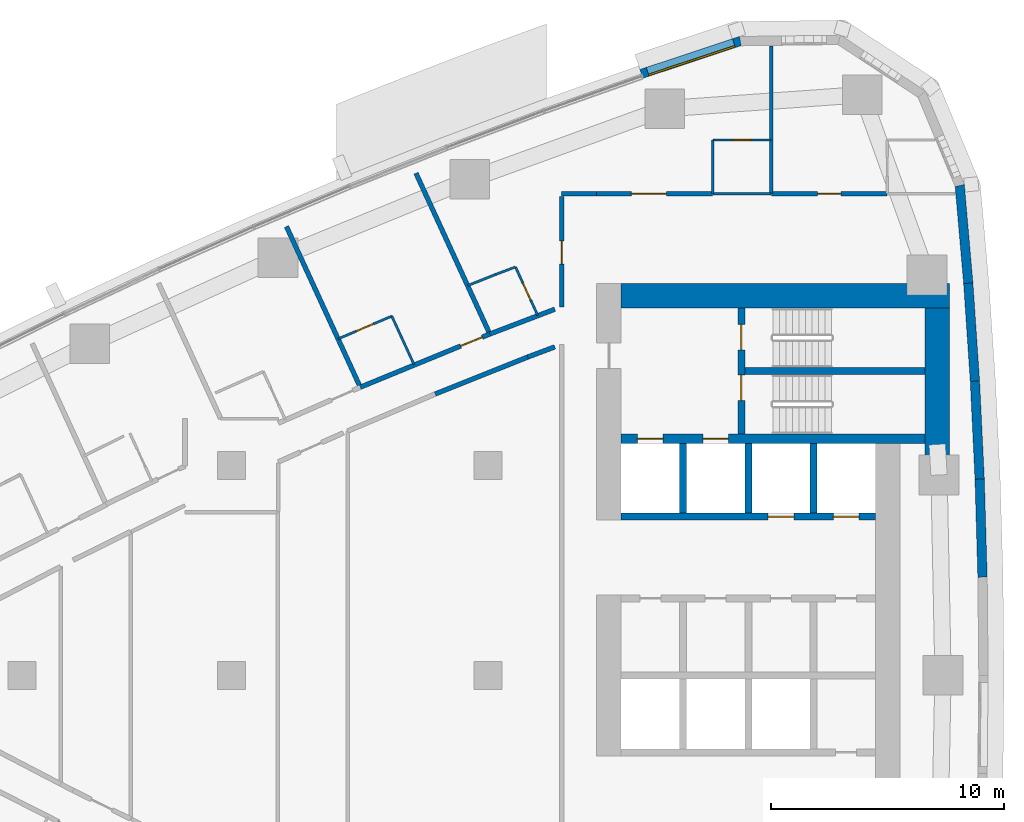
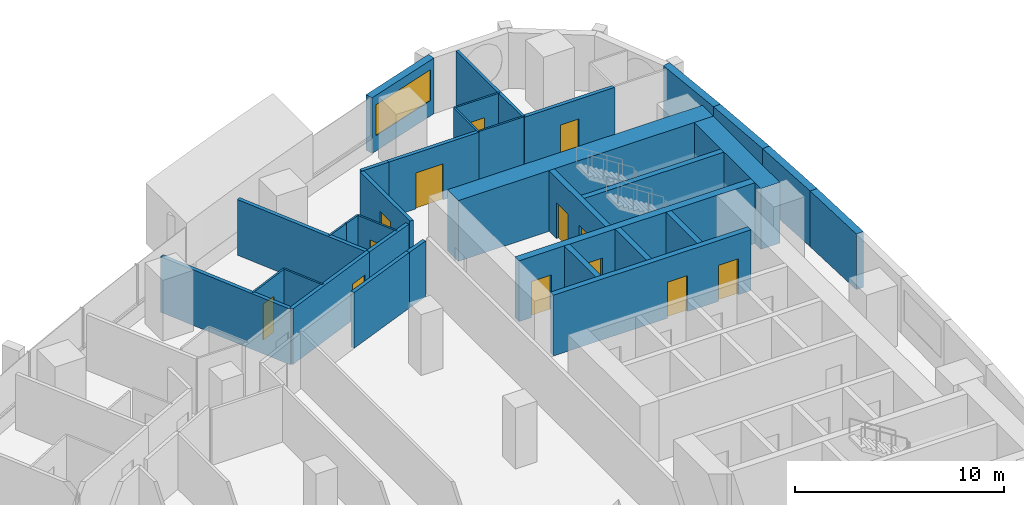
# One storey, part 12 of 17: 33 walls, 13 doors, 1 window, 14 openings.
"""IFC4 building model written with IfcOpenShell, lengths in metres."""

from ifc_helpers import new_model, si_unit, direction, frame, frame_2d, origin, place, context, subcontext, project, spatial, polyline, rectangle, outline, extrude, material, layer, layer_set, type_object, element, fill, save


model = new_model("IFC4")

# Units and contexts
model_context = context("Model", 3, precision=1e-05, world=origin(), true_north=direction((0.0, 1.0)))
body_context = subcontext(model_context, "Body", "Model", "MODEL_VIEW")
ifc_project = project(units=[si_unit("LENGTHUNIT", "METRE"), si_unit("AREAUNIT", "SQUARE_METRE"), si_unit("VOLUMEUNIT", "CUBIC_METRE"), si_unit("PLANEANGLEUNIT", "RADIAN"), si_unit("MASSUNIT", "GRAM", prefix="KILO")], contexts=[model_context])

# Site, building, storey
site_placement = place(None, origin())
site = spatial("IfcSite", under=ifc_project, at=site_placement, CompositionType="ELEMENT")
building_placement = place(site_placement, origin())
building = spatial("IfcBuilding", under=site, at=building_placement, Name="Ostrand Prow Hotel Tower", CompositionType="ELEMENT")
storey_placement = place(building_placement, frame((0.0, 0.0, 109.75)))
storey = spatial("IfcBuildingStorey", under=building, at=storey_placement, Name="L26", CompositionType="ELEMENT", Elevation=109.75)

# Walls
ifc_material_1 = material(Name="Concrete C80/95", Category="concrete")
ifc_layer_1 = layer(ifc_material_1, 1.050048828125)
ifc_layer_set_1 = layer_set([ifc_layer_1], Name="Concrete C80/95")
wall_type_1 = type_object("IfcWallType", Name="Core wall 1050 C80/95", PredefinedType="SHEAR", material=ifc_layer_set_1)
wall_1_placement = place(storey_placement, frame((50.699951171875, 16.27490234375, 0.0), z_axis=(0.0, 0.0, 1.0), x_axis=(1.0, 0.0, 0.0)))
element("IfcWall", 1, at=wall_1_placement, inside=storey, type_object=wall_type_1, Name="Core wall CW-N", PredefinedType="SHEAR", context=body_context, shape_type="SweptSolid", body=[
    extrude(rectangle(XDim=14.070068359375, YDim=1.050048828125, at=frame_2d((7.03515625, 0.0))), origin(), (0.0, 0.0, 1.0), 3.550048828125),
])
wall_2_placement = place(storey_placement, frame((64.2451171875, 9.388671875, 0.0), z_axis=(0.0, 0.0, 1.0), x_axis=(0.0, 1.0, 0.0)))
element("IfcWall", 2, at=wall_2_placement, inside=storey, type_object=wall_type_1, Name="Core wall CW-E-N", PredefinedType="SHEAR", context=body_context, shape_type="SweptSolid", body=[
    extrude(rectangle(XDim=6.361328125, YDim=1.050048828125, at=frame_2d((3.1806640625, 0.0))), origin(), (0.0, 0.0, 1.0), 3.550048828125),
])

# Wall, openings, doors
ifc_material_2 = material(Name="Concrete C80/95", Category="concrete")
ifc_layer_2 = layer(ifc_material_2, 0.300048828125)
ifc_layer_set_2 = layer_set([ifc_layer_2], Name="Concrete C80/95")
wall_type_2 = type_object("IfcWallType", Name="Core wall 300 C80/95", PredefinedType="SHEAR", material=ifc_layer_set_2)
wall_3_placement = place(storey_placement, frame((50.699951171875, 6.800048828125, 0.0), z_axis=(0.0, 0.0, 1.0), x_axis=(1.0, 0.0, 0.0)))
wall_3 = element("IfcWall", 3, at=wall_3_placement, inside=storey, type_object=wall_type_2, Name="Core wall PW-L2-N", PredefinedType="SHEAR", context=body_context, shape_type="SweptSolid", body=[
    extrude(rectangle(XDim=10.900146484375, YDim=0.300048828125, at=frame_2d((5.4501953125, 0.0))), origin(), (0.0, 0.0, 1.0), 3.550048828125),
])
opening_1_placement = place(wall_3_placement, frame((6.300048828125, 0.0, 0.0)))
opening_1 = element("IfcOpeningElement", 4, at=opening_1_placement, cuts=wall_3, Name="Opening LD", PredefinedType="OPENING", context=body_context, shape_type="SweptSolid", body=[
    extrude(rectangle(XDim=1.10009765625, YDim=2.10009765625, at=frame_2d((0.550048828125, 1.050048828125))), frame((0.0, 0.159912109375, 0.0), z_axis=(0.0, -1.0, 0.0), x_axis=(1.0, 0.0, 0.0)), (0.0, 0.0, 1.0), 0.320068359375),
])
opening_2_placement = place(wall_3_placement, frame((9.10009765625, 0.0, 0.0)))
opening_2 = element("IfcOpeningElement", 5, at=opening_2_placement, cuts=wall_3, Name="Opening LD", PredefinedType="OPENING", context=body_context, shape_type="SweptSolid", body=[
    extrude(rectangle(XDim=1.10009765625, YDim=2.10009765625, at=frame_2d((0.550048828125, 1.050048828125))), frame((0.0, 0.159912109375, 0.0), z_axis=(0.0, -1.0, 0.0), x_axis=(1.0, 0.0, 0.0)), (0.0, 0.0, 1.0), 0.320068359375),
])
ifc_material_3 = material(Name="Stainless steel door", Category="steel")
door_type_1 = type_object("IfcDoorType", Name="Lift landing door 1100", OperationType="DOUBLE_DOOR_SLIDING", PredefinedType="DOOR", material=ifc_material_3)
door_1_placement = place(opening_1_placement, origin())
door_1 = element("IfcDoor", 6, at=door_1_placement, inside=storey, type_object=door_type_1, Name="LIFT LANDING DOOR", OperationType="DOUBLE_DOOR_SLIDING", OverallHeight=2.10009765625, OverallWidth=1.10009765625, PredefinedType="DOOR", context=body_context, shape_type="SweptSolid", body=[
    extrude(rectangle(XDim=1.10009765625, YDim=2.10009765625, at=frame_2d((0.550048828125, 1.050048828125))), frame((0.0, 0.02490234375, 0.0), z_axis=(0.0, -1.0, 0.0), x_axis=(1.0, 0.0, 0.0)), (0.0, 0.0, 1.0), 0.050048828125),
])
fill(opening_1, door_1)
door_2_placement = place(opening_2_placement, origin())
door_2 = element("IfcDoor", 7, at=door_2_placement, inside=storey, type_object=door_type_1, Name="LIFT LANDING DOOR", OperationType="DOUBLE_DOOR_SLIDING", OverallHeight=2.10009765625, OverallWidth=1.10009765625, PredefinedType="DOOR", context=body_context, shape_type="SweptSolid", body=[
    extrude(rectangle(XDim=1.10009765625, YDim=2.10009765625, at=frame_2d((0.550048828125, 1.050048828125))), frame((0.0, 0.02490234375, 0.0), z_axis=(0.0, -1.0, 0.0), x_axis=(1.0, 0.0, 0.0)), (0.0, 0.0, 1.0), 0.050048828125),
])
fill(opening_2, door_2)

# Walls
for number, where, z_axis, x_axis, name in (
    (8, (53.35009765625, 6.949951171875, 0.0), (0.0, 0.0, 1.0), (0.0, 1.0, 0.0), "Core wall PW-R1-NA"),
    (9, (56.14990234375, 6.949951171875, 0.0), (0.0, 0.0, 1.0), (0.0, 1.0, 0.0), "Core wall PW-R2-NA"),
    (10, (58.949951171875, 6.949951171875, 0.0), (0.0, 0.0, 1.0), (0.0, 1.0, 0.0), "Core wall PW-R3-NA"),
):
    element("IfcWall", number, at=place(storey_placement, frame(where, z_axis=z_axis, x_axis=x_axis)), inside=storey, type_object=wall_type_2, Name=name, PredefinedType="SHEAR", context=body_context, shape_type="SweptSolid", body=[
        extrude(rectangle(XDim=3.0, YDim=0.300048828125, at=frame_2d((1.5, 0.0))), origin(), (0.0, 0.0, 1.0), 3.550048828125),
    ])

# Wall, openings, doors
wall_4_placement = place(storey_placement, frame((55.85009765625, 10.35009765625, 0.0), z_axis=(0.0, 0.0, 1.0), x_axis=(0.0, 1.0, 0.0)))
wall_4 = element("IfcWall", 11, at=wall_4_placement, inside=storey, type_object=wall_type_2, Name="Core wall PW-VN", PredefinedType="SHEAR", context=body_context, shape_type="SweptSolid", body=[
    extrude(rectangle(XDim=5.39990234375, YDim=0.300048828125, at=frame_2d((2.699951171875, 0.0))), origin(), (0.0, 0.0, 1.0), 3.550048828125),
])
opening_3_placement = place(wall_4_placement, frame((1.429931640625, 0.0, 0.0)))
opening_3 = element("IfcOpeningElement", 12, at=opening_3_placement, cuts=wall_4, Name="Opening FD1", PredefinedType="OPENING", context=body_context, shape_type="SweptSolid", body=[
    extrude(rectangle(XDim=1.10009765625, YDim=2.10009765625, at=frame_2d((0.550048828125, 1.050048828125))), frame((0.0, 0.159912109375, 0.0), z_axis=(0.0, -1.0, 0.0), x_axis=(1.0, 0.0, 0.0)), (0.0, 0.0, 1.0), 0.320068359375),
])
opening_4_placement = place(wall_4_placement, frame((3.60009765625, 0.0, 0.0)))
opening_4 = element("IfcOpeningElement", 13, at=opening_4_placement, cuts=wall_4, Name="Opening FD1", PredefinedType="OPENING", context=body_context, shape_type="SweptSolid", body=[
    extrude(rectangle(XDim=1.10009765625, YDim=2.10009765625, at=frame_2d((0.550048828125, 1.050048828125))), frame((0.0, 0.159912109375, 0.0), z_axis=(0.0, -1.0, 0.0), x_axis=(1.0, 0.0, 0.0)), (0.0, 0.0, 1.0), 0.320068359375),
])
ifc_material_4 = material(Name="Steel fire door", Category="steel")
door_type_2 = type_object("IfcDoorType", Name="Fire door 1100 EI120", OperationType="SINGLE_SWING_RIGHT", PredefinedType="DOOR", material=ifc_material_4)
door_3_placement = place(opening_3_placement, origin())
door_3 = element("IfcDoor", 14, at=door_3_placement, inside=storey, type_object=door_type_2, Name="FIRE DOOR", OperationType="SINGLE_SWING_RIGHT", OverallHeight=2.10009765625, OverallWidth=1.10009765625, PredefinedType="DOOR", context=body_context, shape_type="SweptSolid", body=[
    extrude(rectangle(XDim=1.10009765625, YDim=2.10009765625, at=frame_2d((0.550048828125, 1.050048828125))), frame((0.0, 0.02490234375, 0.0), z_axis=(0.0, -1.0, 0.0), x_axis=(1.0, 0.0, 0.0)), (0.0, 0.0, 1.0), 0.050048828125),
])
fill(opening_3, door_3)
door_4_placement = place(opening_4_placement, origin())
door_4 = element("IfcDoor", 15, at=door_4_placement, inside=storey, type_object=door_type_2, Name="FIRE DOOR", OperationType="SINGLE_SWING_RIGHT", OverallHeight=2.10009765625, OverallWidth=1.10009765625, PredefinedType="DOOR", context=body_context, shape_type="SweptSolid", body=[
    extrude(rectangle(XDim=1.10009765625, YDim=2.10009765625, at=frame_2d((0.550048828125, 1.050048828125))), frame((0.0, 0.02490234375, 0.0), z_axis=(0.0, -1.0, 0.0), x_axis=(1.0, 0.0, 0.0)), (0.0, 0.0, 1.0), 0.050048828125),
])
fill(opening_4, door_4)

# Wall
wall_5_placement = place(storey_placement, frame((56.0, 13.050048828125, 0.0), z_axis=(0.0, 0.0, 1.0), x_axis=(1.0, 0.0, 0.0)))
element("IfcWall", 16, at=wall_5_placement, inside=storey, type_object=wall_type_2, Name="Core wall PW-ST13", PredefinedType="SHEAR", context=body_context, shape_type="SweptSolid", body=[
    extrude(rectangle(XDim=7.719970703125, YDim=0.300048828125, at=frame_2d((3.85986328125, 0.0))), origin(), (0.0, 0.0, 1.0), 3.550048828125),
])

# Wall, openings, doors
ifc_material_5 = material(Name="Concrete C80/95", Category="concrete")
ifc_layer_3 = layer(ifc_material_5, 0.39990234375)
ifc_layer_set_3 = layer_set([ifc_layer_3], Name="Concrete C80/95")
wall_type_3 = type_object("IfcWallType", Name="Core wall 400 C80/95", PredefinedType="SHEAR", material=ifc_layer_set_3)
wall_6_placement = place(storey_placement, frame((50.699951171875, 10.14990234375, 0.0), z_axis=(0.0, 0.0, 1.0), x_axis=(1.0, 0.0, 0.0)))
wall_6 = element("IfcWall", 17, at=wall_6_placement, inside=storey, type_object=wall_type_3, Name="Core wall PW-BN", PredefinedType="SHEAR", context=body_context, shape_type="SweptSolid", body=[
    extrude(rectangle(XDim=13.02001953125, YDim=0.39990234375, at=frame_2d((6.510009765625, 0.0))), origin(), (0.0, 0.0, 1.0), 3.550048828125),
])
opening_5_placement = place(wall_6_placement, frame((0.699951171875, 0.0, 0.0)))
opening_5 = element("IfcOpeningElement", 18, at=opening_5_placement, cuts=wall_6, Name="Opening LD", PredefinedType="OPENING", context=body_context, shape_type="SweptSolid", body=[
    extrude(rectangle(XDim=1.10009765625, YDim=2.10009765625, at=frame_2d((0.550048828125, 1.050048828125))), frame((0.0, 0.2099609375, 0.0), z_axis=(0.0, -1.0, 0.0), x_axis=(1.0, 0.0, 0.0)), (0.0, 0.0, 1.0), 0.419921875),
])
opening_6_placement = place(wall_6_placement, frame((3.5, 0.0, 0.0)))
opening_6 = element("IfcOpeningElement", 19, at=opening_6_placement, cuts=wall_6, Name="Opening LD", PredefinedType="OPENING", context=body_context, shape_type="SweptSolid", body=[
    extrude(rectangle(XDim=1.10009765625, YDim=2.10009765625, at=frame_2d((0.550048828125, 1.050048828125))), frame((0.0, 0.2099609375, 0.0), z_axis=(0.0, -1.0, 0.0), x_axis=(1.0, 0.0, 0.0)), (0.0, 0.0, 1.0), 0.419921875),
])
door_5_placement = place(opening_5_placement, origin())
door_5 = element("IfcDoor", 20, at=door_5_placement, inside=storey, type_object=door_type_1, Name="LIFT LANDING DOOR", OperationType="DOUBLE_DOOR_SLIDING", OverallHeight=2.10009765625, OverallWidth=1.10009765625, PredefinedType="DOOR", context=body_context, shape_type="SweptSolid", body=[
    extrude(rectangle(XDim=1.10009765625, YDim=2.10009765625, at=frame_2d((0.550048828125, 1.050048828125))), frame((0.0, 0.02490234375, 0.0), z_axis=(0.0, -1.0, 0.0), x_axis=(1.0, 0.0, 0.0)), (0.0, 0.0, 1.0), 0.050048828125),
])
fill(opening_5, door_5)
door_6_placement = place(opening_6_placement, origin())
door_6 = element("IfcDoor", 21, at=door_6_placement, inside=storey, type_object=door_type_1, Name="LIFT LANDING DOOR", OperationType="DOUBLE_DOOR_SLIDING", OverallHeight=2.10009765625, OverallWidth=1.10009765625, PredefinedType="DOOR", context=body_context, shape_type="SweptSolid", body=[
    extrude(rectangle(XDim=1.10009765625, YDim=2.10009765625, at=frame_2d((0.550048828125, 1.050048828125))), frame((0.0, 0.02490234375, 0.0), z_axis=(0.0, -1.0, 0.0), x_axis=(1.0, 0.0, 0.0)), (0.0, 0.0, 1.0), 0.050048828125),
])
fill(opening_6, door_6)

# Wall
ifc_material_6 = material(Name="Plasterboard partition")
ifc_layer_4 = layer(ifc_material_6, 0.10009765625)
ifc_layer_set_4 = layer_set([ifc_layer_4], Name="Plasterboard partition")
wall_type_4 = type_object("IfcWallType", Name="Partition 100 bathroom wall", PredefinedType="PARTITIONING", material=ifc_layer_set_4)
wall_7_placement = place(storey_placement, frame((54.630615234375, 20.64990234375, 0.0), z_axis=(0.0, 0.0, 1.0), x_axis=(0.0, 1.0, 0.0)))
element("IfcWall", 22, at=wall_7_placement, inside=storey, type_object=wall_type_4, Name="BATHROOM WALL", PredefinedType="PARTITIONING", context=body_context, shape_type="SweptSolid", body=[
    extrude(rectangle(XDim=2.300048828125, YDim=0.10009765625, at=frame_2d((1.14990234375, 0.0))), origin(), (0.0, 0.0, 1.0), 3.25),
])

# Wall, opening, door
wall_8_placement = place(storey_placement, frame((54.630615234375, 22.949951171875, 0.0), z_axis=(0.0, 0.0, 1.0), x_axis=(1.0, 0.0, 0.0)))
wall_8 = element("IfcWall", 23, at=wall_8_placement, inside=storey, type_object=wall_type_4, Name="BATHROOM WALL", PredefinedType="PARTITIONING", context=body_context, shape_type="SweptSolid", body=[
    extrude(rectangle(XDim=2.5, YDim=0.10009765625, at=frame_2d((1.25, 0.0))), origin(), (0.0, 0.0, 1.0), 3.25),
])
opening_7_placement = place(wall_8_placement, frame((0.85009765625, 0.0, 0.0)))
opening_7 = element("IfcOpeningElement", 24, at=opening_7_placement, cuts=wall_8, Name="Opening D2", PredefinedType="OPENING", context=body_context, shape_type="SweptSolid", body=[
    extrude(rectangle(XDim=0.800048828125, YDim=2.10009765625, at=frame_2d((0.39990234375, 1.050048828125))), frame((0.0, 0.06005859375, 0.0), z_axis=(0.0, -1.0, 0.0), x_axis=(1.0, 0.0, 0.0)), (0.0, 0.0, 1.0), 0.1201171875),
])
ifc_material_7 = material(Name="Timber door leaf", Category="wood")
door_type_3 = type_object("IfcDoorType", Name="Bathroom door 800", OperationType="SINGLE_SWING_LEFT", PredefinedType="DOOR", material=ifc_material_7)
door_7_placement = place(opening_7_placement, origin())
door_7 = element("IfcDoor", 25, at=door_7_placement, inside=storey, type_object=door_type_3, Name="DOOR", OperationType="SINGLE_SWING_LEFT", OverallHeight=2.10009765625, OverallWidth=0.800048828125, PredefinedType="DOOR", context=body_context, shape_type="SweptSolid", body=[
    extrude(rectangle(XDim=0.800048828125, YDim=2.10009765625, at=frame_2d((0.39990234375, 1.050048828125))), frame((0.0, 0.02490234375, 0.0), z_axis=(0.0, -1.0, 0.0), x_axis=(1.0, 0.0, 0.0)), (0.0, 0.0, 1.0), 0.050048828125),
])
fill(opening_7, door_7)

wall_9_placement = place(storey_placement, frame((38.5615234375, 14.425537109375, 0.0), z_axis=(0.0, 0.0, 1.0), x_axis=(0.921042675983, 0.38946166566, 0.0)))
wall_9 = element("IfcWall", 26, at=wall_9_placement, inside=storey, type_object=wall_type_4, Name="BATHROOM WALL", PredefinedType="PARTITIONING", context=body_context, shape_type="SweptSolid", body=[
    extrude(rectangle(XDim=2.501220703125, YDim=0.10009765625, at=frame_2d((1.25048828125, 0.0))), origin(), (0.0, 0.0, 1.0), 3.25),
])
opening_8_placement = place(wall_9_placement, frame((0.85009765625, 0.0, 0.0)))
opening_8 = element("IfcOpeningElement", 27, at=opening_8_placement, cuts=wall_9, Name="Opening D2", PredefinedType="OPENING", context=body_context, shape_type="SweptSolid", body=[
    extrude(rectangle(XDim=0.800048828125, YDim=2.10009765625, at=frame_2d((0.39990234375, 1.050048828125))), frame((0.0, 0.06005859375, 0.0), z_axis=(0.0, -1.0, 0.0), x_axis=(1.0, 0.0, 0.0)), (0.0, 0.0, 1.0), 0.1201171875),
])
door_8_placement = place(opening_8_placement, origin())
door_8 = element("IfcDoor", 28, at=door_8_placement, inside=storey, type_object=door_type_3, Name="DOOR", OperationType="SINGLE_SWING_LEFT", OverallHeight=2.10009765625, OverallWidth=0.800048828125, PredefinedType="DOOR", context=body_context, shape_type="SweptSolid", body=[
    extrude(rectangle(XDim=0.800048828125, YDim=2.10009765625, at=frame_2d((0.39990234375, 1.050048828125))), frame((0.0, 0.02490234375, 0.0), z_axis=(0.0, -1.0, 0.0), x_axis=(1.0, 0.0, 0.0)), (0.0, 0.0, 1.0), 0.050048828125),
])
fill(opening_8, door_8)

# Walls
wall_10_placement = place(storey_placement, frame((40.865234375, 15.399658203125, 0.0), z_axis=(0.0, 0.0, 1.0), x_axis=(0.417433204355, -0.908707609686, 0.0)))
element("IfcWall", 29, at=wall_10_placement, inside=storey, type_object=wall_type_4, Name="BATHROOM WALL", PredefinedType="PARTITIONING", context=body_context, shape_type="SweptSolid", body=[
    extrude(rectangle(XDim=2.278076171875, YDim=0.10009765625, at=frame_2d((1.13916015625, 0.0))), origin(), (0.0, 0.0, 1.0), 3.25),
])
wall_11_placement = place(storey_placement, frame((44.115966796875, 16.7080078125, 0.0), z_axis=(0.0, 0.0, 1.0), x_axis=(0.928593389657, 0.371098796393, 0.0)))
element("IfcWall", 30, at=wall_11_placement, inside=storey, type_object=wall_type_4, Name="BATHROOM WALL", PredefinedType="PARTITIONING", context=body_context, shape_type="SweptSolid", body=[
    extrude(rectangle(XDim=1.298095703125, YDim=0.10009765625, at=frame_2d((0.64892578125, 0.0))), origin(), (0.0, 0.0, 1.0), 3.25),
])
wall_12_placement = place(storey_placement, frame((45.3212890625, 17.189697265625, 0.0), z_axis=(0.0, 0.0, 1.0), x_axis=(0.935885332459, 0.352304760808, 0.0)))
element("IfcWall", 31, at=wall_12_placement, inside=storey, type_object=wall_type_4, Name="BATHROOM WALL", PredefinedType="PARTITIONING", context=body_context, shape_type="SweptSolid", body=[
    extrude(rectangle(XDim=0.90576171875, YDim=0.10009765625, at=frame_2d((0.452880859375, 0.0))), origin(), (0.0, 0.0, 1.0), 3.25),
])

# Wall, opening, door
wall_13_placement = place(storey_placement, frame((46.169189453125, 17.5087890625, 0.0), z_axis=(0.0, 0.0, 1.0), x_axis=(0.417409478396, -0.90871850831, 0.0)))
wall_13 = element("IfcWall", 32, at=wall_13_placement, inside=storey, type_object=wall_type_4, Name="BATHROOM WALL", PredefinedType="PARTITIONING", context=body_context, shape_type="SweptSolid", body=[
    extrude(rectangle(XDim=2.282958984375, YDim=0.10009765625, at=frame_2d((1.1416015625, 0.0))), origin(), (0.0, 0.0, 1.0), 3.25),
])
opening_9_placement = place(wall_13_placement, frame((0.75, 0.0, 0.0)))
opening_9 = element("IfcOpeningElement", 33, at=opening_9_placement, cuts=wall_13, Name="Opening D2", PredefinedType="OPENING", context=body_context, shape_type="SweptSolid", body=[
    extrude(rectangle(XDim=0.800048828125, YDim=2.10009765625, at=frame_2d((0.39990234375, 1.050048828125))), frame((0.0, 0.06005859375, 0.0), z_axis=(0.0, -1.0, 0.0), x_axis=(1.0, 0.0, 0.0)), (0.0, 0.0, 1.0), 0.1201171875),
])
door_9_placement = place(opening_9_placement, origin())
door_9 = element("IfcDoor", 34, at=door_9_placement, inside=storey, type_object=door_type_3, Name="DOOR", OperationType="SINGLE_SWING_LEFT", OverallHeight=2.10009765625, OverallWidth=0.800048828125, PredefinedType="DOOR", context=body_context, shape_type="SweptSolid", body=[
    extrude(rectangle(XDim=0.800048828125, YDim=2.10009765625, at=frame_2d((0.39990234375, 1.050048828125))), frame((0.0, 0.02490234375, 0.0), z_axis=(0.0, -1.0, 0.0), x_axis=(1.0, 0.0, 0.0)), (0.0, 0.0, 1.0), 0.050048828125),
])
fill(opening_9, door_9)

# Walls
wall_14_placement = place(storey_placement, frame((57.130615234375, 20.655029296875, 0.0), z_axis=(0.0, 0.0, 1.0), x_axis=(-1.0, 0.0, 0.0)))
element("IfcWall", 35, at=wall_14_placement, inside=storey, type_object=wall_type_4, Name="BATHROOM WALL", PredefinedType="PARTITIONING", context=body_context, shape_type="SweptSolid", body=[
    extrude(rectangle(XDim=2.5, YDim=0.10009765625, at=frame_2d((1.25, 0.0))), origin(), (0.0, 0.0, 1.0), 3.25),
])
ifc_material_8 = material(Name="Plasterboard partition")
ifc_layer_5 = layer(ifc_material_8, 0.14990234375)
ifc_layer_set_5 = layer_set([ifc_layer_5], Name="Plasterboard partition")
wall_type_5 = type_object("IfcWallType", Name="Partition 150 room partition", PredefinedType="PARTITIONING", material=ifc_layer_set_5)
wall_15_placement = place(storey_placement, frame((57.130615234375, 20.64990234375, 0.0), z_axis=(0.0, 0.0, 1.0), x_axis=(0.0, 1.0, 0.0)))
element("IfcWall", 36, at=wall_15_placement, inside=storey, type_object=wall_type_5, Name="ROOM PARTITION", PredefinedType="PARTITIONING", context=body_context, shape_type="SweptSolid", body=[
    extrude(rectangle(XDim=6.3291015625, YDim=0.14990234375, at=frame_2d((3.16455078125, 0.0))), origin(), (0.0, 0.0, 1.0), 3.25),
])

# Wall, opening, door
ifc_material_9 = material(Name="Plasterboard partition")
ifc_layer_6 = layer(ifc_material_9, 0.199951171875)
ifc_layer_set_6 = layer_set([ifc_layer_6], Name="Plasterboard partition")
wall_type_6 = type_object("IfcWallType", Name="Partition 200 corridor wall", PredefinedType="PARTITIONING", material=ifc_layer_set_6)
wall_16_placement = place(storey_placement, frame((45.06884765625, 14.633544921875, 0.0), z_axis=(0.0, 0.0, 1.0), x_axis=(-0.925062421694, -0.379815107611, 0.0)))
wall_16 = element("IfcWall", 37, at=wall_16_placement, inside=storey, type_object=wall_type_6, Name="CORRIDOR WALL", PredefinedType="PARTITIONING", context=body_context, shape_type="SweptSolid", body=[
    extrude(rectangle(XDim=6.0048828125, YDim=0.199951171875, at=frame_2d((3.00244140625, 0.0))), origin(), (0.0, 0.0, 1.0), 3.25),
])
opening_10_placement = place(wall_16_placement, frame((0.35009765625, 0.0, 0.0)))
opening_10 = element("IfcOpeningElement", 38, at=opening_10_placement, cuts=wall_16, Name="Opening D1R", PredefinedType="OPENING", context=body_context, shape_type="SweptSolid", body=[
    extrude(rectangle(XDim=1.0, YDim=2.10009765625, at=frame_2d((0.5, 1.050048828125))), frame((0.0, 0.10986328125, 0.0), z_axis=(0.0, -1.0, 0.0), x_axis=(1.0, 0.0, 0.0)), (0.0, 0.0, 1.0), 0.219970703125),
])
ifc_material_10 = material(Name="Timber door leaf", Category="wood")
door_type_4 = type_object("IfcDoorType", Name="Guest room door 1000 right", OperationType="SINGLE_SWING_RIGHT", PredefinedType="DOOR", material=ifc_material_10)
door_10_placement = place(opening_10_placement, origin())
door_10 = element("IfcDoor", 39, at=door_10_placement, inside=storey, type_object=door_type_4, Name="DOOR", OperationType="SINGLE_SWING_RIGHT", OverallHeight=2.10009765625, OverallWidth=1.0, PredefinedType="DOOR", context=body_context, shape_type="SweptSolid", body=[
    extrude(rectangle(XDim=1.0, YDim=2.10009765625, at=frame_2d((0.5, 1.050048828125))), frame((0.0, 0.02490234375, 0.0), z_axis=(0.0, -1.0, 0.0), x_axis=(1.0, 0.0, 0.0)), (0.0, 0.0, 1.0), 0.050048828125),
])
fill(opening_10, door_10)

# Wall
wall_17_placement = place(storey_placement, frame((42.727783203125, 12.0615234375, 0.0), z_axis=(0.0, 0.0, 1.0), x_axis=(0.928638161177, 0.370986745864, 0.0)))
element("IfcWall", 40, at=wall_17_placement, inside=storey, type_object=wall_type_6, Name="CORRIDOR WALL", PredefinedType="PARTITIONING", context=body_context, shape_type="SweptSolid", body=[
    extrude(rectangle(XDim=4.27294921875, YDim=0.199951171875, at=frame_2d((2.136474609375, 0.0))), origin(), (0.0, 0.0, 1.0), 3.25),
])

# Wall, opening, door
wall_18_placement = place(storey_placement, frame((54.62548828125, 20.655029296875, 0.0), z_axis=(0.0, 0.0, 1.0), x_axis=(-1.0, 0.0, 0.0)))
wall_18 = element("IfcWall", 41, at=wall_18_placement, inside=storey, type_object=wall_type_6, Name="CORRIDOR WALL", PredefinedType="PARTITIONING", context=body_context, shape_type="SweptSolid", body=[
    extrude(rectangle(XDim=4.9755859375, YDim=0.199951171875, at=frame_2d((2.48779296875, 0.0))), origin(), (0.0, 0.0, 1.0), 3.25),
])
opening_11_placement = place(wall_18_placement, frame((1.98779296875, 0.0, 0.0)))
opening_11 = element("IfcOpeningElement", 42, at=opening_11_placement, cuts=wall_18, Name="Opening D15", PredefinedType="OPENING", context=body_context, shape_type="SweptSolid", body=[
    extrude(rectangle(XDim=1.5, YDim=2.10009765625, at=frame_2d((0.75, 1.050048828125))), frame((0.0, 0.10986328125, 0.0), z_axis=(0.0, -1.0, 0.0), x_axis=(1.0, 0.0, 0.0)), (0.0, 0.0, 1.0), 0.219970703125),
])
ifc_material_11 = material(Name="Timber door leaf", Category="wood")
door_type_5 = type_object("IfcDoorType", Name="Double door 1500", OperationType="DOUBLE_DOOR_SINGLE_SWING", PredefinedType="DOOR", material=ifc_material_11)
door_11_placement = place(opening_11_placement, origin())
door_11 = element("IfcDoor", 43, at=door_11_placement, inside=storey, type_object=door_type_5, Name="DOOR", OperationType="DOUBLE_DOOR_SINGLE_SWING", OverallHeight=2.10009765625, OverallWidth=1.5, PredefinedType="DOOR", context=body_context, shape_type="SweptSolid", body=[
    extrude(rectangle(XDim=1.5, YDim=2.10009765625, at=frame_2d((0.75, 1.050048828125))), frame((0.0, 0.02490234375, 0.0), z_axis=(0.0, -1.0, 0.0), x_axis=(1.0, 0.0, 0.0)), (0.0, 0.0, 1.0), 0.050048828125),
])
fill(opening_11, door_11)

wall_19_placement = place(storey_placement, frame((62.106201171875, 20.655029296875, 0.0), z_axis=(0.0, 0.0, 1.0), x_axis=(-1.0, 0.0, 0.0)))
wall_19 = element("IfcWall", 44, at=wall_19_placement, inside=storey, type_object=wall_type_6, Name="CORRIDOR WALL", PredefinedType="PARTITIONING", context=body_context, shape_type="SweptSolid", body=[
    extrude(rectangle(XDim=4.970703125, YDim=0.199951171875, at=frame_2d((2.4853515625, 0.0))), origin(), (0.0, 0.0, 1.0), 3.25),
])
opening_12_placement = place(wall_19_placement, frame((1.9853515625, 0.0, 0.0)))
opening_12 = element("IfcOpeningElement", 45, at=opening_12_placement, cuts=wall_19, Name="Opening D1R", PredefinedType="OPENING", context=body_context, shape_type="SweptSolid", body=[
    extrude(rectangle(XDim=1.0, YDim=2.10009765625, at=frame_2d((0.5, 1.050048828125))), frame((0.0, 0.10986328125, 0.0), z_axis=(0.0, -1.0, 0.0), x_axis=(1.0, 0.0, 0.0)), (0.0, 0.0, 1.0), 0.219970703125),
])
door_12_placement = place(opening_12_placement, origin())
door_12 = element("IfcDoor", 46, at=door_12_placement, inside=storey, type_object=door_type_4, Name="DOOR", OperationType="SINGLE_SWING_RIGHT", OverallHeight=2.10009765625, OverallWidth=1.0, PredefinedType="DOOR", context=body_context, shape_type="SweptSolid", body=[
    extrude(rectangle(XDim=1.0, YDim=2.10009765625, at=frame_2d((0.5, 1.050048828125))), frame((0.0, 0.02490234375, 0.0), z_axis=(0.0, -1.0, 0.0), x_axis=(1.0, 0.0, 0.0)), (0.0, 0.0, 1.0), 0.050048828125),
])
fill(opening_12, door_12)

# Walls
wall_20_placement = place(storey_placement, frame((47.85498046875, 15.697509765625, 0.0), z_axis=(0.0, 0.0, 1.0), x_axis=(-0.934199537442, -0.35675092746, 0.0)))
element("IfcWall", 47, at=wall_20_placement, inside=storey, type_object=wall_type_6, Name="CORRIDOR WALL", PredefinedType="PARTITIONING", context=body_context, shape_type="SweptSolid", body=[
    extrude(rectangle(XDim=2.982421875, YDim=0.199951171875, at=frame_2d((1.4912109375, 0.0))), origin(), (0.0, 0.0, 1.0), 3.25),
])
wall_21_placement = place(storey_placement, frame((46.69580078125, 13.646728515625, 0.0), z_axis=(0.0, 0.0, 1.0), x_axis=(0.935907269358, 0.352246480696, 0.0)))
element("IfcWall", 48, at=wall_21_placement, inside=storey, type_object=wall_type_6, Name="CORRIDOR WALL", PredefinedType="PARTITIONING", context=body_context, shape_type="SweptSolid", body=[
    extrude(rectangle(XDim=1.238525390625, YDim=0.199951171875, at=frame_2d((0.619140625, 0.0))), origin(), (0.0, 0.0, 1.0), 3.25),
])
wall_22_placement = place(storey_placement, frame((49.64990234375, 20.655029296875, 0.0), z_axis=(0.0, 0.0, 1.0), x_axis=(-0.999998406651, -0.001785131852, 0.0)))
element("IfcWall", 49, at=wall_22_placement, inside=storey, type_object=wall_type_6, Name="CORRIDOR WALL", PredefinedType="PARTITIONING", context=body_context, shape_type="SweptSolid", body=[
    extrude(rectangle(XDim=1.50439453125, YDim=0.199951171875, at=frame_2d((0.752197265625, 0.0))), origin(), (0.0, 0.0, 1.0), 3.25),
])

# Wall, opening, door
wall_23_placement = place(storey_placement, frame((48.1455078125, 20.532470703125, 0.0), z_axis=(0.0, 0.0, 1.0), x_axis=(-5.1594263e-05, -0.999999998669, 0.0)))
wall_23 = element("IfcWall", 50, at=wall_23_placement, inside=storey, type_object=wall_type_6, Name="CORRIDOR WALL", PredefinedType="PARTITIONING", context=body_context, shape_type="SweptSolid", body=[
    extrude(rectangle(XDim=4.73193359375, YDim=0.199951171875, at=frame_2d((2.365966796875, 0.0))), origin(), (0.0, 0.0, 1.0), 3.25),
])
opening_13_placement = place(wall_23_placement, frame((1.89990234375, 0.0, 0.0)))
opening_13 = element("IfcOpeningElement", 51, at=opening_13_placement, cuts=wall_23, Name="Opening D1R", PredefinedType="OPENING", context=body_context, shape_type="SweptSolid", body=[
    extrude(rectangle(XDim=1.0, YDim=2.10009765625, at=frame_2d((0.5, 1.050048828125))), frame((0.0, 0.10986328125, 0.0), z_axis=(0.0, -1.0, 0.0), x_axis=(1.0, 0.0, 0.0)), (0.0, 0.0, 1.0), 0.219970703125),
])
door_13_placement = place(opening_13_placement, origin())
door_13 = element("IfcDoor", 52, at=door_13_placement, inside=storey, type_object=door_type_4, Name="DOOR", OperationType="SINGLE_SWING_RIGHT", OverallHeight=2.10009765625, OverallWidth=1.0, PredefinedType="DOOR", context=body_context, shape_type="SweptSolid", body=[
    extrude(rectangle(XDim=1.0, YDim=2.10009765625, at=frame_2d((0.5, 1.050048828125))), frame((0.0, 0.02490234375, 0.0), z_axis=(0.0, -1.0, 0.0), x_axis=(1.0, 0.0, 0.0)), (0.0, 0.0, 1.0), 0.050048828125),
])
fill(opening_13, door_13)

# Walls
ifc_material_12 = material(Name="Plasterboard partition")
ifc_layer_7 = layer(ifc_material_12, 0.199951171875)
ifc_layer_set_7 = layer_set([ifc_layer_7], Name="Plasterboard partition")
wall_type_7 = type_object("IfcWallType", Name="Partition 200 key partition", PredefinedType="PARTITIONING", material=ifc_layer_set_7)
wall_24_placement = place(storey_placement, frame((39.522216796875, 12.33447265625, 0.0), z_axis=(0.0, 0.0, 1.0), x_axis=(-0.417442847913, 0.908703179661, 0.0)))
element("IfcWall", 53, at=wall_24_placement, inside=storey, type_object=wall_type_7, Name="KEY PARTITION", PredefinedType="PARTITIONING", context=body_context, shape_type="SweptSolid", body=[
    extrude(rectangle(XDim=7.603515625, YDim=0.199951171875, at=frame_2d((3.8017578125, 0.0))), origin(), (0.0, 0.0, 1.0), 3.25),
])
wall_25_placement = place(storey_placement, frame((45.0771484375, 14.615234375, 0.0), z_axis=(0.0, 0.0, 1.0), x_axis=(-0.417427858403, 0.908710065438, 0.0)))
element("IfcWall", 54, at=wall_25_placement, inside=storey, type_object=wall_type_7, Name="KEY PARTITION", PredefinedType="PARTITIONING", context=body_context, shape_type="SweptSolid", body=[
    extrude(rectangle(XDim=7.609619140625, YDim=0.199951171875, at=frame_2d((3.8046875, 0.0))), origin(), (0.0, 0.0, 1.0), 3.25),
])
ifc_material_13 = material(Name="Precast concrete C40/50", Category="concrete")
ifc_layer_8 = layer(ifc_material_13, 0.39990234375)
ifc_layer_set_8 = layer_set([ifc_layer_8], Name="Precast concrete C40/50")
wall_type_8 = type_object("IfcWallType", Name="Stone-faced precast wall 400 mm", PredefinedType="NOTDEFINED", material=ifc_layer_set_8)
for number, where, z_axis, x_axis, name in (
    (55, (66.193603515625, 4.20654296875, 0.0), (0.0, 0.0, 1.0), (-0.02901703777, 0.999578917104, 0.0), "Stone-faced wall back 11"),
    (56, (66.071533203125, 8.41162109375, 0.0), (0.0, 0.0, 1.0), (-0.048342691508, 0.998830808585, 0.0), "Stone-faced wall back 12"),
):
    element("IfcWall", number, at=place(storey_placement, frame(where, z_axis=z_axis, x_axis=x_axis)), inside=storey, type_object=wall_type_8, Name=name, PredefinedType="NOTDEFINED", context=body_context, shape_type="SweptSolid", body=[
        extrude(outline(polyline([(-0.001953125, -0.199951171875), (4.208740234375, -0.199951171875), (4.204833984375, 0.199951171875), (0.001953125, 0.199951171875), (-0.001953125, -0.199951171875)])), origin(), (0.0, 0.0, 1.0), 3.25),
    ])
wall_26_placement = place(storey_placement, frame((65.8681640625, 12.613525390625, 0.0), z_axis=(0.0, 0.0, 1.0), x_axis=(-0.067724559895, 0.997704056315, 0.0)))
element("IfcWall", 57, at=wall_26_placement, inside=storey, type_object=wall_type_8, Name="Stone-faced wall back 13", PredefinedType="NOTDEFINED", context=body_context, shape_type="SweptSolid", body=[
    extrude(outline(polyline([(-0.001953125, -0.199951171875), (4.208984375, -0.199951171875), (4.205078125, 0.199951171875), (0.001953125, 0.199951171875), (-0.001953125, -0.199951171875)])), origin(), (0.0, 0.0, 1.0), 3.25),
])
wall_27_placement = place(storey_placement, frame((65.583251953125, 16.810791015625, 0.0), z_axis=(0.0, 0.0, 1.0), x_axis=(-0.086992730434, 0.996208946382, 0.0)))
element("IfcWall", 58, at=wall_27_placement, inside=storey, type_object=wall_type_8, Name="Stone-faced wall back 14", PredefinedType="NOTDEFINED", context=body_context, shape_type="SweptSolid", body=[
    extrude(outline(polyline([(-0.001953125, -0.199951171875), (4.23779296875, -0.199951171875), (4.17578125, 0.199951171875), (0.001953125, 0.199951171875), (-0.001953125, -0.199951171875)])), origin(), (0.0, 0.0, 1.0), 3.25),
])

# Wall, opening, window
wall_28_placement = place(storey_placement, frame((55.81005859375, 27.192138671875, 0.0), z_axis=(0.0, 0.0, 1.0), x_axis=(-0.94925004851, -0.314522408429, 0.0)))
wall_28 = element("IfcWall", 59, at=wall_28_placement, inside=storey, type_object=wall_type_8, Name="Stone-faced wall back 18", PredefinedType="NOTDEFINED", context=body_context, shape_type="SweptSolid", body=[
    extrude(outline(polyline([(-0.031005859375, -0.199951171875), (4.468017578125, -0.199951171875), (4.468017578125, 0.199951171875), (0.031005859375, 0.199951171875), (-0.031005859375, -0.199951171875)])), origin(), (0.0, 0.0, 1.0), 3.25),
])
opening_14_placement = place(wall_28_placement, frame((0.283935546875, 0.0, 0.89990234375)))
opening_14 = element("IfcOpeningElement", 60, at=opening_14_placement, cuts=wall_28, Name="Opening WS3-39", PredefinedType="OPENING", context=body_context, shape_type="SweptSolid", body=[
    extrude(rectangle(XDim=3.89990234375, YDim=1.800048828125, at=frame_2d((1.949951171875, 0.89990234375))), frame((0.0, 0.2099609375, 0.0), z_axis=(0.0, -1.0, 0.0), x_axis=(1.0, 0.0, 0.0)), (0.0, 0.0, 1.0), 0.419921875),
])
ifc_material_14 = material(Name="Insulated glass in bronze frame", Category="glass")
window_type = type_object("IfcWindowType", Name="Strip window 3900x1800", PartitioningType="SINGLE_PANEL", PredefinedType="WINDOW", material=ifc_material_14)
window_placement = place(opening_14_placement, origin())
window = element("IfcWindow", 61, at=window_placement, inside=storey, type_object=window_type, Name="Window back 18.1", OverallHeight=1.800048828125, OverallWidth=3.89990234375, PartitioningType="SINGLE_PANEL", PredefinedType="WINDOW", context=body_context, shape_type="SweptSolid", body=[
    extrude(rectangle(XDim=3.89990234375, YDim=1.800048828125, at=frame_2d((1.949951171875, 0.89990234375))), frame((0.0, 0.169921875, 0.0), z_axis=(0.0, -1.0, 0.0), x_axis=(1.0, 0.0, 0.0)), (0.0, 0.0, 1.0), 0.06005859375),
])
fill(opening_14, window)

save(model, "model.ifc")
